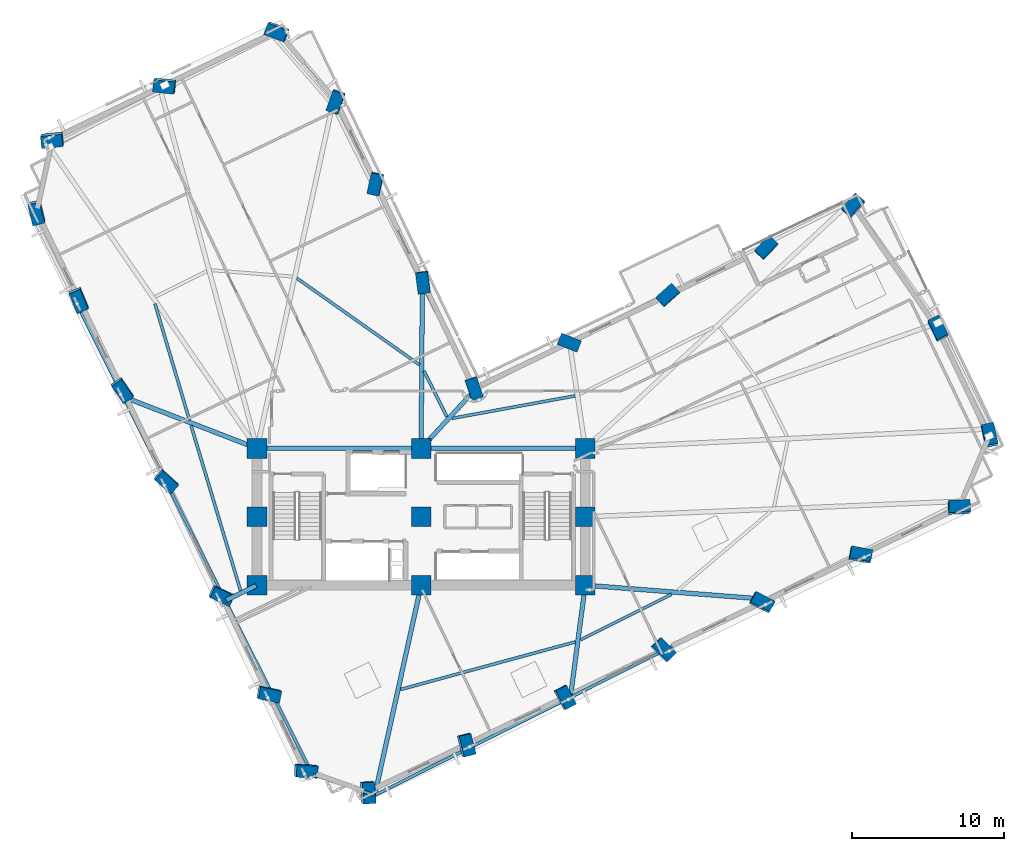
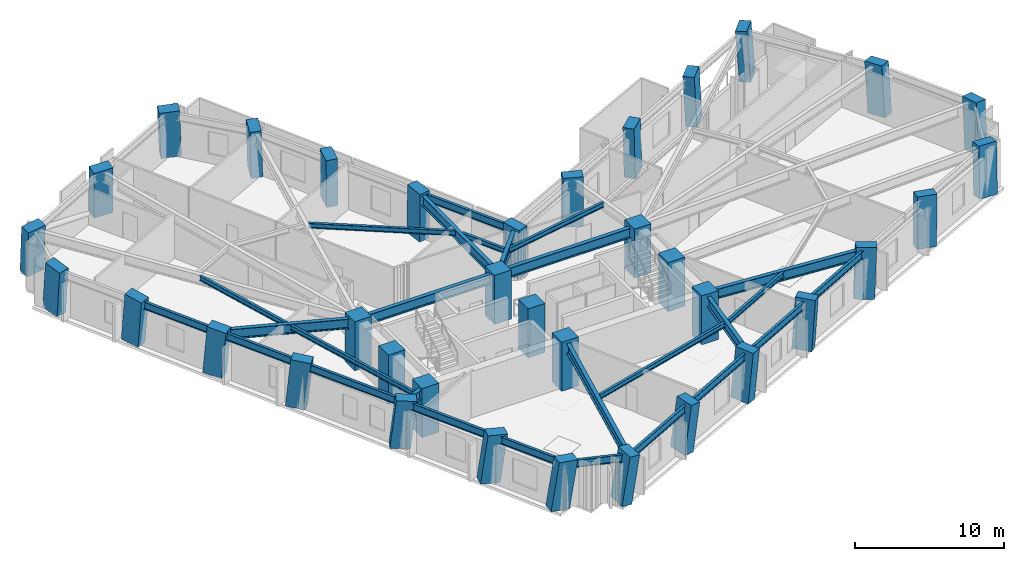
# One storey, part 1 of 16: 36 columns, 27 beams.
"""IFC4 building model written with IfcOpenShell, lengths in metres."""

import ifcopenshell
import ifcopenshell.guid

model = None  # the IFC model being written
_history = None  # IfcOwnerHistory: only IFC2X3 demands one
_inside = {}  # id of a spatial element -> (the spatial element, [elements in it])
_under = {}  # id of a project, library or spatial element -> (it, [spatial elements below it])
_declared = {}  # id of a project -> (the project, [libraries it declares])
_typed = {}  # id of a type object -> (the type object, [elements of that type])
_made_of = {}  # id of a material, layer set ... -> (it, [elements and type objects made of it])


def new_model(schema):
    """Start an empty IFC model of exactly this schema.

    Asked for "IFC4X3", IfcOpenShell would pick the latest addendum, in which some entities
    have other attributes; the version numbers below select the first issue.
    IFC2X3 requires an IfcOwnerHistory on every rooted entity: one is made here for all.
    """
    global model, _history
    if schema == "IFC4X3":
        model = ifcopenshell.file(schema_version=(4, 3, 0, 0))
    else:
        model = ifcopenshell.file(schema=schema)
    _inside.clear()
    _under.clear()
    _declared.clear()
    _typed.clear()
    _made_of.clear()
    _history = None
    if model.schema == "IFC2X3":
        org = make("IfcOrganization", Name="unknown")
        user = make(
            "IfcPersonAndOrganization",
            ThePerson=make("IfcPerson", FamilyName="unknown"),
            TheOrganization=org,
        )
        app = make(
            "IfcApplication",
            ApplicationDeveloper=org,
            Version="unknown",
            ApplicationFullName="unknown",
            ApplicationIdentifier="unknown",
        )
        _history = make(
            "IfcOwnerHistory",
            OwningUser=user,
            OwningApplication=app,
            ChangeAction="ADDED",
            CreationDate=0,
        )
    return model


def make(cls, **values):
    """One entity of the class cls with the attributes given. An attribute that is None is left unset."""
    return model.create_entity(
        cls, **{name: value for name, value in values.items() if value is not None}
    )


def rooted(cls, **values):
    """An entity with a GlobalId (a new one), such as an element, a storey or a relation."""
    return make(cls, GlobalId=ifcopenshell.guid.new(), OwnerHistory=_history, **values)


def si_unit(unit_type, name, prefix=None):
    """IfcSIUnit, for example si_unit("LENGTHUNIT", "METRE", prefix="MILLI")."""
    return make("IfcSIUnit", UnitType=unit_type, Prefix=prefix, Name=name)


def assignment(units):
    """IfcUnitAssignment: the units of a project."""
    return None if units is None else make("IfcUnitAssignment", Units=units)


def point(xyz):
    """IfcCartesianPoint."""
    return None if xyz is None else make("IfcCartesianPoint", Coordinates=xyz)


def direction(xyz):
    """IfcDirection."""
    return None if xyz is None else make("IfcDirection", DirectionRatios=xyz)


def frame(location, z_axis=None, x_axis=None):
    """IfcAxis2Placement3D, a coordinate frame: its origin and axes. An axis left out is left unset."""
    return make(
        "IfcAxis2Placement3D",
        Location=point(location),
        Axis=direction(z_axis),
        RefDirection=direction(x_axis),
    )


def frame_2d(location, x_axis=None):
    """IfcAxis2Placement2D, a coordinate frame in the plane: its origin and x axis."""
    return make(
        "IfcAxis2Placement2D", Location=point(location), RefDirection=direction(x_axis)
    )


def origin():
    """The frame at (0, 0, 0) with its axes left unset."""
    return frame((0.0, 0.0, 0.0))


def origin_2d():
    """The frame at (0, 0) in the plane with its x axis left unset."""
    return frame_2d((0.0, 0.0))


def place(relative_to, where):
    """IfcLocalPlacement: puts the frame where relative to a parent placement (None: the world)."""
    return make(
        "IfcLocalPlacement", PlacementRelTo=relative_to, RelativePlacement=where
    )


def context(
    kind, dimensions, precision=None, world=None, true_north=None, identifier=None
):
    """IfcGeometricRepresentationContext, for example the 3D "Model" context."""
    return make(
        "IfcGeometricRepresentationContext",
        ContextIdentifier=identifier,
        ContextType=kind,
        CoordinateSpaceDimension=dimensions,
        Precision=precision,
        WorldCoordinateSystem=world,
        TrueNorth=true_north,
    )


def subcontext(parent, identifier, kind, view, scale=None):
    """IfcGeometricRepresentationSubContext, for example "Body" below "Model"."""
    return make(
        "IfcGeometricRepresentationSubContext",
        ContextIdentifier=identifier,
        ContextType=kind,
        ParentContext=parent,
        TargetScale=scale,
        TargetView=view,
    )


def project(units=None, contexts=None):
    """IfcProject with its units and contexts."""
    return rooted(
        "IfcProject",
        Name="project",
        RepresentationContexts=contexts,
        UnitsInContext=assignment(units),
    )


def spatial(cls, under=None, at=None, **own):
    """A site, building, storey or space (cls), placed at a placement, below another one or the project."""
    s = rooted(cls, ObjectPlacement=at, **own)
    if under is not None:
        _under.setdefault(under.id(), (under, []))[1].append(s)
    return s


def profile(cls, at=None, kind="AREA", **sizes):
    """A parametric profile (cls). Its sizes go by their IFC names, for example OverallWidth=200.0."""
    return make(cls, ProfileType=kind, Position=at, **sizes)


def rectangle(**sizes):
    """IfcRectangleProfileDef."""
    return profile("IfcRectangleProfileDef", **sizes)


def i_section(**sizes):
    """IfcIShapeProfileDef."""
    return profile("IfcIShapeProfileDef", **sizes)


def extrude(swept, where, along, depth):
    """IfcExtrudedAreaSolid: the profile swept, set in the frame where, extruded along a direction by depth."""
    return make(
        "IfcExtrudedAreaSolid",
        SweptArea=swept,
        Position=where,
        ExtrudedDirection=direction(along),
        Depth=depth,
    )


def shape(context_of_items, identifier, shape_type, items):
    """IfcShapeRepresentation: the items that make up one representation, for example the "Body"."""
    return make(
        "IfcShapeRepresentation",
        ContextOfItems=context_of_items,
        RepresentationIdentifier=identifier,
        RepresentationType=shape_type,
        Items=items,
    )


def material(Name=None, Category=None):
    """IfcMaterial."""
    return make("IfcMaterial", Name=Name, Category=Category)


def material_profile(
    of_material, cross_section, Name=None, Category=None, Priority=None
):
    """IfcMaterialProfile: a cross section and its material."""
    return make(
        "IfcMaterialProfile",
        Name=Name,
        Material=of_material,
        Profile=cross_section,
        Priority=Priority,
        Category=Category,
    )


def profile_set(profiles, Name=None, composite=None):
    """IfcMaterialProfileSet."""
    return make(
        "IfcMaterialProfileSet",
        Name=Name,
        MaterialProfiles=profiles,
        CompositeProfile=composite,
    )


def made_of(thing, what):
    """Note that an element or type object is made of a material, layer set ...; save() writes the relation."""
    if what is not None:
        _made_of.setdefault(what.id(), (what, []))[1].append(thing)
    return thing


def type_object(cls, material=None, **own):
    """A type object (cls), such as IfcWallType, which elements share."""
    return made_of(rooted(cls, **own), material)


def element(
    cls,
    number,
    at=None,
    inside=None,
    cuts=None,
    type_object=None,
    material=None,
    context=None,
    identifier="Body",
    shape_type=None,
    held_by="IfcProductDefinitionShape",
    body=None,
    shapes=None,
    **own,
):
    """One element of the class cls, such as IfcWall. Its Tag is "e" and its number.

    at: its placement. inside: the storey or other place that contains it. cuts: it is an
    opening in that element (IfcRelVoidsElement). A single representation is given by context,
    identifier, shape_type and body (its items); several are given by shapes. held_by: the class
    of the entity that holds the representations. save() writes the other relations.
    """
    e = rooted(cls, Tag="e%d" % number, ObjectPlacement=at, **own)
    if body is not None:
        shapes = [shape(context, identifier, shape_type, body)]
    if shapes is not None:
        e.Representation = make(held_by, Representations=shapes)
    if inside is not None:
        _inside.setdefault(inside.id(), (inside, []))[1].append(e)
    if cuts is not None:
        rooted(
            "IfcRelVoidsElement", RelatingBuildingElement=cuts, RelatedOpeningElement=e
        )
    if type_object is not None:
        _typed.setdefault(type_object.id(), (type_object, []))[1].append(e)
    return made_of(e, material)


def aggregate(whole, parts):
    """IfcRelAggregates: a whole, such as a stair, and the parts it consists of."""
    return rooted("IfcRelAggregates", RelatingObject=whole, RelatedObjects=parts)


def save(model, path):
    """Write the relations noted so far, then the file.

    IfcRelAggregates (storeys below a building ...), IfcRelContainedInSpatialStructure (elements
    in a storey), IfcRelDefinesByType, IfcRelAssociatesMaterial and IfcRelDeclares: one each for
    every whole, place, type object, material and project.
    """
    for whole, parts in _under.values():
        aggregate(whole, parts)
    for where, things in _inside.values():
        rooted(
            "IfcRelContainedInSpatialStructure",
            RelatedElements=things,
            RelatingStructure=where,
        )
    for kind, things in _typed.values():
        rooted("IfcRelDefinesByType", RelatedObjects=things, RelatingType=kind)
    for what, things in _made_of.values():
        rooted("IfcRelAssociatesMaterial", RelatedObjects=things, RelatingMaterial=what)
    for by, libraries in _declared.values():
        rooted("IfcRelDeclares", RelatingContext=by, RelatedDefinitions=libraries)
    model.write(path)


model = new_model("IFC4")

# Units and contexts
model_context = context("Model", 3, precision=1e-05, world=origin(), true_north=direction((0.0, 1.0)))
body_context = subcontext(model_context, "Body", "Model", "MODEL_VIEW")
ifc_project = project(units=[si_unit("LENGTHUNIT", "METRE"), si_unit("AREAUNIT", "SQUARE_METRE"), si_unit("VOLUMEUNIT", "CUBIC_METRE"), si_unit("PLANEANGLEUNIT", "RADIAN"), si_unit("MASSUNIT", "GRAM", prefix="KILO")], contexts=[model_context])

# Site, building, storey
site_placement = place(None, origin())
site = spatial("IfcSite", under=ifc_project, at=site_placement, CompositionType="ELEMENT")
building_placement = place(site_placement, origin())
building = spatial("IfcBuilding", under=site, at=building_placement, Name="Gaonmaruhae Medical Tower", CompositionType="ELEMENT")
storey_placement = place(building_placement, frame((0.0, 0.0, 132.39990234375)))
storey = spatial("IfcBuildingStorey", under=building, at=storey_placement, Name="L31", CompositionType="ELEMENT", Elevation=132.39990234375)

# Columns
ifc_material_1 = material(Name="Concrete C60/75", Category="concrete")
ifc_material_profile_1 = material_profile(ifc_material_1, rectangle(XDim=1.300048828125, YDim=1.300048828125, at=origin_2d()), Name="RC-1300x1300")
ifc_profile_set_1 = profile_set([ifc_material_profile_1], Name="Concrete C60/75")
column_type_1 = type_object("IfcColumnType", Name="CC-03 Zone 2 Core Column (RC-1300x1300)", PredefinedType="COLUMN", material=ifc_profile_set_1)
for number, where, z_axis, x_axis, name in (
    (1, (14.0, 7.800048828125, 0.0), (0.0, 0.0, 1.0), (1.0, 0.0, 0.0), "L31 Plumb Core Column CC11"),
    (2, (14.0, 12.300048828125, 0.0), (0.0, 0.0, 1.0), (1.0, 0.0, 0.0), "L31 Plumb Core Column CC12"),
    (3, (14.0, 16.800048828125, 0.0), (0.0, 0.0, 1.0), (1.0, 0.0, 0.0), "L31 Plumb Core Column CC13"),
    (4, (24.800048828125, 7.800048828125, 0.0), (0.0, 0.0, 1.0), (1.0, 0.0, 0.0), "L31 Plumb Core Column CC21"),
    (5, (24.800048828125, 12.300048828125, 0.0), (0.0, 0.0, 1.0), (1.0, 0.0, 0.0), "L31 Plumb Core Column CC22"),
    (6, (24.800048828125, 16.800048828125, 0.0), (0.0, 0.0, 1.0), (1.0, 0.0, 0.0), "L31 Plumb Core Column CC23"),
    (7, (35.60009765625, 7.800048828125, 0.0), (0.0, 0.0, 1.0), (1.0, 0.0, 0.0), "L31 Plumb Core Column CC31"),
    (8, (35.60009765625, 12.300048828125, 0.0), (0.0, 0.0, 1.0), (1.0, 0.0, 0.0), "L31 Plumb Core Column CC32"),
    (9, (35.60009765625, 16.800048828125, 0.0), (0.0, 0.0, 1.0), (1.0, 0.0, 0.0), "L31 Plumb Core Column CC33"),
):
    element("IfcColumn", number, at=place(storey_placement, frame(where, z_axis=z_axis, x_axis=x_axis)), inside=storey, type_object=column_type_1, Name=name, PredefinedType="COLUMN", context=body_context, shape_type="SweptSolid", body=[
        extrude(rectangle(XDim=1.300048828125, YDim=1.300048828125, at=origin_2d()), origin(), (0.0, 0.0, 1.0), 4.0),
    ])
ifc_material_profile_2 = material_profile(ifc_material_1, rectangle(XDim=1.39990234375, YDim=0.800048828125, at=origin_2d()), Name="RC-1400x800")
ifc_profile_set_2 = profile_set([ifc_material_profile_2], Name="Concrete C60/75")
column_type_2 = type_object("IfcColumnType", Name="TC-02 Mid Raking Tube Pier Column (RC-1400x800)", PredefinedType="COLUMN", material=ifc_profile_set_2)
column_1_placement = place(storey_placement, frame((21.236083984375, -5.819580078125, 0.001953125), z_axis=(0.126197551936, -0.049752703929, 0.990756703907), x_axis=(-0.068357054988, 0.995931387847, 0.058719534514)))
element("IfcColumn", 10, at=column_1_placement, inside=storey, type_object=column_type_2, Name="L31 Perimeter Tube Column S01", PredefinedType="COLUMN", context=body_context, shape_type="SweptSolid", body=[
    extrude(rectangle(XDim=1.39990234375, YDim=0.800048828125, at=origin_2d()), origin(), (0.0, 0.0, 1.0), 4.03369140625),
])
column_2_placement = place(storey_placement, frame((27.7265625, -2.702880859375, 0.001953125), z_axis=(0.113411528151, -0.023240564624, 0.993276246287), x_axis=(-0.240241312271, 0.969418798546, 0.050112921527)))
element("IfcColumn", 11, at=column_2_placement, inside=storey, type_object=column_type_2, Name="L31 Perimeter Tube Column S02", PredefinedType="COLUMN", context=body_context, shape_type="SweptSolid", body=[
    extrude(rectangle(XDim=1.39990234375, YDim=0.800048828125, at=origin_2d()), origin(), (0.0, 0.0, 1.0), 4.0234375),
])
column_3_placement = place(storey_placement, frame((34.217041015625, 0.413818359375, 0.001953125), z_axis=(0.100532157789, 0.003403748994, 0.994927987215), x_axis=(-0.460933784013, 0.886365665565, 0.043542550033)))
element("IfcColumn", 12, at=column_3_placement, inside=storey, type_object=column_type_2, Name="L31 Perimeter Tube Column S03", PredefinedType="COLUMN", context=body_context, shape_type="SweptSolid", body=[
    extrude(rectangle(XDim=1.39990234375, YDim=0.800048828125, at=origin_2d()), origin(), (0.0, 0.0, 1.0), 4.0166015625),
])
column_4_placement = place(storey_placement, frame((40.70751953125, 3.530517578125, 0.001953125), z_axis=(0.087532631007, 0.030110251806, 0.995706488502), x_axis=(-0.700801184298, 0.712230390609, 0.040069574247)))
element("IfcColumn", 13, at=column_4_placement, inside=storey, type_object=column_type_2, Name="L31 Perimeter Tube Column S04", PredefinedType="COLUMN", context=body_context, shape_type="SweptSolid", body=[
    extrude(rectangle(XDim=1.39990234375, YDim=0.800048828125, at=origin_2d()), origin(), (0.0, 0.0, 1.0), 4.013671875),
])
column_5_placement = place(storey_placement, frame((47.197998046875, 6.6474609375, 0.001953125), z_axis=(0.074447409341, 0.056687079662, 0.99561245384), x_axis=(-0.888995895277, 0.456120203654, 0.040505036717)))
element("IfcColumn", 14, at=column_5_placement, inside=storey, type_object=column_type_2, Name="L31 Perimeter Tube Column S05", PredefinedType="COLUMN", context=body_context, shape_type="SweptSolid", body=[
    extrude(rectangle(XDim=1.39990234375, YDim=0.800048828125, at=origin_2d()), origin(), (0.0, 0.0, 1.0), 4.013916015625),
])
column_6_placement = place(storey_placement, frame((53.6884765625, 9.76416015625, 0.001953125), z_axis=(0.06131027357, 0.083306625435, 0.994636142775), x_axis=(-0.981231513844, 0.18756322246, 0.044774477334)))
element("IfcColumn", 15, at=column_6_placement, inside=storey, type_object=column_type_2, Name="L31 Perimeter Tube Column S06", PredefinedType="COLUMN", context=body_context, shape_type="SweptSolid", body=[
    extrude(rectangle(XDim=1.39990234375, YDim=0.800048828125, at=origin_2d()), origin(), (0.0, 0.0, 1.0), 4.017822265625),
])
column_7_placement = place(storey_placement, frame((60.178955078125, 12.880859375, 0.001953125), z_axis=(0.048096029974, 0.109777823773, 0.992791821737), x_axis=(-0.998144320493, -0.03187998618, 0.051880458253)))
element("IfcColumn", 16, at=column_7_placement, inside=storey, type_object=column_type_2, Name="L31 Perimeter Tube Column S07", PredefinedType="COLUMN", context=body_context, shape_type="SweptSolid", body=[
    extrude(rectangle(XDim=1.39990234375, YDim=0.800048828125, at=origin_2d()), origin(), (0.0, 0.0, 1.0), 4.025390625),
])
column_8_placement = place(storey_placement, frame((62.177734375, 17.6123046875, 0.001953125), z_axis=(0.028561654516, 0.117824404935, 0.99262361522), x_axis=(0.209885345046, -0.971598652903, 0.109289521967)))
element("IfcColumn", 17, at=column_8_placement, inside=storey, type_object=column_type_2, Name="L31 Perimeter Tube Column E01", PredefinedType="COLUMN", context=body_context, shape_type="SweptSolid", body=[
    extrude(rectangle(XDim=1.39990234375, YDim=0.800048828125, at=origin_2d()), origin(), (0.0, 0.0, 1.0), 4.026123046875),
])
column_9_placement = place(storey_placement, frame((58.80126953125, 24.6435546875, 0.001953125), z_axis=(-0.00024304177, 0.103900356523, 0.994587681829), x_axis=(0.434968645662, -0.89556113761, 0.093661764304)))
element("IfcColumn", 18, at=column_9_placement, inside=storey, type_object=column_type_2, Name="L31 Perimeter Tube Column E02", PredefinedType="COLUMN", context=body_context, shape_type="SweptSolid", body=[
    extrude(rectangle(XDim=1.39990234375, YDim=0.800048828125, at=origin_2d()), origin(), (0.0, 0.0, 1.0), 4.01806640625),
])
column_10_placement = place(storey_placement, frame((53.25, 32.738525390625, 0.001953125), z_axis=(-0.033410510138, 0.080818137455, 0.996168743974), x_axis=(-0.668331325161, -0.742899857935, 0.037855526533)))
element("IfcColumn", 19, at=column_10_placement, inside=storey, type_object=column_type_2, Name="L31 Perimeter Tube Column E03", PredefinedType="COLUMN", context=body_context, shape_type="SweptSolid", body=[
    extrude(rectangle(XDim=1.39990234375, YDim=0.800048828125, at=origin_2d()), origin(), (0.0, 0.0, 1.0), 4.01171875),
])
column_11_placement = place(storey_placement, frame((47.52587890625, 29.98974609375, 0.001953125), z_axis=(-0.021951173604, 0.057438904263, 0.998107668668), x_axis=(-0.687821910111, -0.725391291577, 0.026617552021)))
element("IfcColumn", 20, at=column_11_placement, inside=storey, type_object=column_type_2, Name="L31 Perimeter Tube Column EN01", PredefinedType="COLUMN", context=body_context, shape_type="SweptSolid", body=[
    extrude(rectangle(XDim=1.39990234375, YDim=0.800048828125, at=origin_2d()), origin(), (0.0, 0.0, 1.0), 4.00390625),
])
column_12_placement = place(storey_placement, frame((41.035400390625, 26.872802734375, 0.001953125), z_axis=(-0.00885366467, 0.030774117199, 0.99948715166), x_axis=(-0.746694417062, -0.665022783918, 0.013861616019)))
element("IfcColumn", 21, at=column_12_placement, inside=storey, type_object=column_type_2, Name="L31 Perimeter Tube Column EN02", PredefinedType="COLUMN", context=body_context, shape_type="SweptSolid", body=[
    extrude(rectangle(XDim=1.39990234375, YDim=0.800048828125, at=origin_2d()), origin(), (0.0, 0.0, 1.0), 3.998291015625),
])
column_13_placement = place(storey_placement, frame((34.544921875, 23.756103515625, 0.001953125), z_axis=(0.004276303261, 0.003970853028, 0.999982972633), x_axis=(-0.930596934724, 0.366036834219, 0.002526079248)))
element("IfcColumn", 22, at=column_13_placement, inside=storey, type_object=column_type_2, Name="L31 Perimeter Tube Column EN03", PredefinedType="COLUMN", context=body_context, shape_type="SweptSolid", body=[
    extrude(rectangle(XDim=1.39990234375, YDim=0.800048828125, at=origin_2d()), origin(), (0.0, 0.0, 1.0), 3.996337890625),
])
column_14_placement = place(storey_placement, frame((28.27978515625, 20.747802734375, 0.001953125), z_axis=(0.01697679214, -0.021923267547, 0.999615505516), x_axis=(-0.315480626225, 0.948571315407, 0.026161690777)))
element("IfcColumn", 23, at=column_14_placement, inside=storey, type_object=column_type_2, Name="L31 Perimeter Tube Column KN01", PredefinedType="COLUMN", context=body_context, shape_type="SweptSolid", body=[
    extrude(rectangle(XDim=1.39990234375, YDim=0.800048828125, at=origin_2d()), origin(), (0.0, 0.0, 1.0), 3.997802734375),
])
column_15_placement = place(storey_placement, frame((24.925048828125, 27.73388671875, 0.001953125), z_axis=(-0.011843149129, -0.036017824671, 0.99928096956), x_axis=(-0.129836305253, 0.990946191791, 0.034178630945)))
element("IfcColumn", 24, at=column_15_placement, inside=storey, type_object=column_type_2, Name="L31 Perimeter Tube Column NE01", PredefinedType="COLUMN", context=body_context, shape_type="SweptSolid", body=[
    extrude(rectangle(XDim=1.39990234375, YDim=0.800048828125, at=origin_2d()), origin(), (0.0, 0.0, 1.0), 3.999267578125),
])
column_16_placement = place(storey_placement, frame((21.808349609375, 34.224365234375, 0.001953125), z_axis=(-0.038595202301, -0.049082366275, 0.998048762176), x_axis=(0.215850292416, 0.974802805821, 0.056286241908)))
element("IfcColumn", 25, at=column_16_placement, inside=storey, type_object=column_type_2, Name="L31 Perimeter Tube Column NE02", PredefinedType="COLUMN", context=body_context, shape_type="SweptSolid", body=[
    extrude(rectangle(XDim=1.39990234375, YDim=0.800048828125, at=origin_2d()), origin(), (0.0, 0.0, 1.0), 4.004150390625),
])
column_17_placement = place(storey_placement, frame((19.2109375, 39.633056640625, 0.001953125), z_axis=(-0.060746648764, -0.059894491367, 0.996354602824), x_axis=(0.335654000459, 0.938841059949, 0.076901600308)))
element("IfcColumn", 26, at=column_17_placement, inside=storey, type_object=column_type_2, Name="L31 Perimeter Tube Column NE03", PredefinedType="COLUMN", context=body_context, shape_type="SweptSolid", body=[
    extrude(rectangle(XDim=1.39990234375, YDim=0.800048828125, at=origin_2d()), origin(), (0.0, 0.0, 1.0), 4.010986328125),
])
column_18_placement = place(storey_placement, frame((15.326416015625, 44.25732421875, 0.001953125), z_axis=(-0.079483443624, -0.075961640928, 0.99393773009), x_axis=(0.933868017477, -0.354436922656, 0.047591950922)))
element("IfcColumn", 27, at=column_18_placement, inside=storey, type_object=column_type_2, Name="L31 Perimeter Tube Column N01", PredefinedType="COLUMN", context=body_context, shape_type="SweptSolid", body=[
    extrude(rectangle(XDim=1.39990234375, YDim=0.800048828125, at=origin_2d()), origin(), (0.0, 0.0, 1.0), 4.020751953125),
])
column_19_placement = place(storey_placement, frame((7.9345703125, 40.707763671875, 0.001953125), z_axis=(-0.064557977636, -0.106141801729, 0.992253085382), x_axis=(0.993383828706, -0.101472169552, 0.053777018064)))
element("IfcColumn", 28, at=column_19_placement, inside=storey, type_object=column_type_2, Name="L31 Perimeter Tube Column N02", PredefinedType="COLUMN", context=body_context, shape_type="SweptSolid", body=[
    extrude(rectangle(XDim=1.39990234375, YDim=0.800048828125, at=origin_2d()), origin(), (0.0, 0.0, 1.0), 4.027587890625),
])
column_20_placement = place(storey_placement, frame((0.542724609375, 37.157958984375, 0.001953125), z_axis=(-0.049567049354, -0.136007147619, 0.98946711083), x_axis=(0.993621795809, 0.093750933041, 0.06266170639)))
element("IfcColumn", 29, at=column_20_placement, inside=storey, type_object=column_type_2, Name="L31 Perimeter Tube Column N03", PredefinedType="COLUMN", context=body_context, shape_type="SweptSolid", body=[
    extrude(rectangle(XDim=1.39990234375, YDim=0.800048828125, at=origin_2d()), origin(), (0.0, 0.0, 1.0), 4.038818359375),
])
column_21_placement = place(storey_placement, frame((-0.4951171875, 32.388916015625, 0.001953125), z_axis=(-0.029927956764, -0.14014748238, 0.989678230834), x_axis=(-0.237013372869, 0.962878942205, 0.129185152939)))
element("IfcColumn", 30, at=column_21_placement, inside=storey, type_object=column_type_2, Name="L31 Perimeter Tube Column W01", PredefinedType="COLUMN", context=body_context, shape_type="SweptSolid", body=[
    extrude(rectangle(XDim=1.39990234375, YDim=0.800048828125, at=origin_2d()), origin(), (0.0, 0.0, 1.0), 4.0380859375),
])
column_22_placement = place(storey_placement, frame((2.275390625, 26.61962890625, 0.001953125), z_axis=(-0.00642153609, -0.128854785505, 0.991642681679), x_axis=(-0.387842290238, 0.914359035075, 0.116300958204)))
element("IfcColumn", 31, at=column_22_placement, inside=storey, type_object=column_type_2, Name="L31 Perimeter Tube Column W02", PredefinedType="COLUMN", context=body_context, shape_type="SweptSolid", body=[
    extrude(rectangle(XDim=1.39990234375, YDim=0.800048828125, at=origin_2d()), origin(), (0.0, 0.0, 1.0), 4.030029296875),
])
column_23_placement = place(storey_placement, frame((5.13232421875, 20.669921875, 0.001953125), z_axis=(0.017955796838, -0.117015986828, 0.992967697454), x_axis=(-0.563628738053, 0.819105386602, 0.106719310723)))
element("IfcColumn", 32, at=column_23_placement, inside=storey, type_object=column_type_2, Name="L31 Perimeter Tube Column W03", PredefinedType="COLUMN", context=body_context, shape_type="SweptSolid", body=[
    extrude(rectangle(XDim=1.39990234375, YDim=0.800048828125, at=origin_2d()), origin(), (0.0, 0.0, 1.0), 4.024658203125),
])
column_24_placement = place(storey_placement, frame((8.010986328125, 14.67529296875, 0.001953125), z_axis=(0.042609410713, -0.105066794792, 0.993551914472), x_axis=(-0.737738002522, 0.667305569433, 0.102205267179)))
element("IfcColumn", 33, at=column_24_placement, inside=storey, type_object=column_type_2, Name="L31 Perimeter Tube Column W04", PredefinedType="COLUMN", context=body_context, shape_type="SweptSolid", body=[
    extrude(rectangle(XDim=1.39990234375, YDim=0.800048828125, at=origin_2d()), origin(), (0.0, 0.0, 1.0), 4.022216796875),
])
column_25_placement = place(storey_placement, frame((11.62548828125, 7.148193359375, 0.001953125), z_axis=(0.073420813254, -0.089864648289, 0.993244043108), x_axis=(-0.901710787892, 0.419493356456, 0.104608694133)))
element("IfcColumn", 34, at=column_25_placement, inside=storey, type_object=column_type_2, Name="L31 Perimeter Tube Column W05", PredefinedType="COLUMN", context=body_context, shape_type="SweptSolid", body=[
    extrude(rectangle(XDim=1.39990234375, YDim=0.800048828125, at=origin_2d()), origin(), (0.0, 0.0, 1.0), 4.0234375),
])
column_26_placement = place(storey_placement, frame((14.7421875, 0.65771484375, 0.001953125), z_axis=(0.099936435718, -0.076725001588, 0.992031240913), x_axis=(-0.972937505895, 0.201228836907, 0.11357625113)))
element("IfcColumn", 35, at=column_26_placement, inside=storey, type_object=column_type_2, Name="L31 Perimeter Tube Column W06", PredefinedType="COLUMN", context=body_context, shape_type="SweptSolid", body=[
    extrude(rectangle(XDim=1.39990234375, YDim=0.800048828125, at=origin_2d()), origin(), (0.0, 0.0, 1.0), 4.0283203125),
])
column_27_placement = place(storey_placement, frame((17.16650390625, -4.390380859375, 0.001953125), z_axis=(0.120415567234, -0.066500858488, 0.990493678419), x_axis=(-0.99088001294, 0.052727197243, 0.12400259121)))
element("IfcColumn", 36, at=column_27_placement, inside=storey, type_object=column_type_2, Name="L31 Perimeter Tube Column W07", PredefinedType="COLUMN", context=body_context, shape_type="SweptSolid", body=[
    extrude(rectangle(XDim=1.39990234375, YDim=0.800048828125, at=origin_2d()), origin(), (0.0, 0.0, 1.0), 4.03466796875),
])

# Beams
ifc_material_2 = material(Name="Steel SM355", Category="steel")
ifc_material_profile_3 = material_profile(ifc_material_2, i_section(OverallWidth=0.199951171875, OverallDepth=0.39990234375, WebThickness=0.008056640625, FlangeThickness=0.012939453125, FilletRadius=0.012939453125, at=origin_2d()), Name="H-400x200x8x13")
ifc_profile_set_3 = profile_set([ifc_material_profile_3], Name="Steel SM355")
beam_type_1 = type_object("IfcBeamType", Name="FJ-01 Lower Zone Ward Floor Joist (H-400x200x8x13)", PredefinedType="JOIST", material=ifc_profile_set_3)
beam_1_placement = place(storey_placement, frame((23.44189453125, 0.93603515625, 3.580078125), z_axis=(0.96486296913, 0.262753593317, 0.0), x_axis=(-0.262753593317, 0.96486296913, 0.0)))
element("IfcBeam", 37, at=beam_1_placement, inside=storey, type_object=beam_type_1, Name="L31 Secondary Floor Joist FJ01", PredefinedType="JOIST", context=body_context, shape_type="SweptSolid", body=[
    extrude(i_section(OverallWidth=0.199951171875, OverallDepth=0.39990234375, WebThickness=0.008056640625, FlangeThickness=0.012939453125, FilletRadius=0.012939453125, at=origin_2d()), origin(), (0.0, 0.0, 1.0), 11.9248046875),
])
beam_2_placement = place(storey_placement, frame((35.278076171875, 4.197509765625, 3.580078125), z_axis=(0.894150733696, 0.447766083385, 0.0), x_axis=(-0.447766083385, 0.894150733696, 0.0)))
element("IfcBeam", 38, at=beam_2_placement, inside=storey, type_object=beam_type_1, Name="L31 Secondary Floor Joist FJ02", PredefinedType="JOIST", context=body_context, shape_type="SweptSolid", body=[
    extrude(i_section(OverallWidth=0.199951171875, OverallDepth=0.39990234375, WebThickness=0.008056640625, FlangeThickness=0.012939453125, FilletRadius=0.012939453125, at=origin_2d()), origin(), (0.0, 0.0, 1.0), 6.7158203125),
])
beam_3_placement = place(storey_placement, frame((34.927490234375, 20.2578125, 3.580078125), z_axis=(-0.983683484049, -0.179907763059, 0.0), x_axis=(0.179907763059, -0.983683484049, 0.0)))
element("IfcBeam", 39, at=beam_3_placement, inside=storey, type_object=beam_type_1, Name="L31 Secondary Floor Joist FJ08", PredefinedType="JOIST", context=body_context, shape_type="SweptSolid", body=[
    extrude(i_section(OverallWidth=0.199951171875, OverallDepth=0.39990234375, WebThickness=0.008056640625, FlangeThickness=0.012939453125, FilletRadius=0.012939453125, at=origin_2d()), origin(), (0.0, 0.0, 1.0), 8.2373046875),
])
beam_4_placement = place(storey_placement, frame((26.499267578125, 18.87890625, 3.580078125), z_axis=(-0.447705830417, 0.894180904186, 0.0), x_axis=(-0.894180904186, -0.447705830417, 0.0)))
element("IfcBeam", 40, at=beam_4_placement, inside=storey, type_object=beam_type_1, Name="L31 Secondary Floor Joist FJ09", PredefinedType="JOIST", context=body_context, shape_type="SweptSolid", body=[
    extrude(i_section(OverallWidth=0.199951171875, OverallDepth=0.39990234375, WebThickness=0.008056640625, FlangeThickness=0.012939453125, FilletRadius=0.012939453125, at=origin_2d()), origin(), (0.0, 0.0, 1.0), 3.372314453125),
])
beam_5_placement = place(storey_placement, frame((24.6845703125, 22.3037109375, 3.580078125), z_axis=(-0.816786876605, 0.576939510006, 0.0), x_axis=(-0.576939510006, -0.816786876605, 0.0)))
element("IfcBeam", 41, at=beam_5_placement, inside=storey, type_object=beam_type_1, Name="L31 Secondary Floor Joist FJ10", PredefinedType="JOIST", context=body_context, shape_type="SweptSolid", body=[
    extrude(i_section(OverallWidth=0.199951171875, OverallDepth=0.39990234375, WebThickness=0.008056640625, FlangeThickness=0.012939453125, FilletRadius=0.012939453125, at=origin_2d()), origin(), (0.0, 0.0, 1.0), 9.87158203125),
])
beam_6_placement = place(storey_placement, frame((7.28515625, 26.320068359375, 3.580078125), z_axis=(0.284088329691, -0.958798112708, 0.0), x_axis=(0.958798112708, 0.284088329691, 0.0)))
element("IfcBeam", 42, at=beam_6_placement, inside=storey, type_object=beam_type_1, Name="L31 Secondary Floor Joist FJ13", PredefinedType="JOIST", context=body_context, shape_type="SweptSolid", body=[
    extrude(i_section(OverallWidth=0.199951171875, OverallDepth=0.39990234375, WebThickness=0.008056640625, FlangeThickness=0.012939453125, FilletRadius=0.012939453125, at=origin_2d()), origin(), (0.0, 0.0, 1.0), 7.96142578125),
])
beam_7_placement = place(storey_placement, frame((9.65869140625, 18.311767578125, 3.580078125), z_axis=(0.287059618656, -0.957912718016, 0.0), x_axis=(0.957912718016, 0.287059618656, 0.0)))
element("IfcBeam", 43, at=beam_7_placement, inside=storey, type_object=beam_type_1, Name="L31 Secondary Floor Joist FJ14", PredefinedType="JOIST", context=body_context, shape_type="SweptSolid", body=[
    extrude(i_section(OverallWidth=0.199951171875, OverallDepth=0.39990234375, WebThickness=0.008056640625, FlangeThickness=0.012939453125, FilletRadius=0.012939453125, at=origin_2d()), origin(), (0.0, 0.0, 1.0), 11.3447265625),
])
ifc_material_3 = material(Name="Steel SM420", Category="steel")
ifc_material_profile_4 = material_profile(ifc_material_3, i_section(OverallWidth=0.300048828125, OverallDepth=0.800048828125, WebThickness=0.013916015625, FlangeThickness=0.02587890625, FilletRadius=0.01806640625, at=origin_2d()), Name="H-800x300x14x26")
ifc_profile_set_4 = profile_set([ifc_material_profile_4], Name="Steel SM420")
beam_type_2 = type_object("IfcBeamType", Name="PG-02 Zone 2 Radial Floor Girder (H-800x300x14x26)", PredefinedType="BEAM", material=ifc_profile_set_4)
for number, where, z_axis, x_axis, name in (
    (44, (14.050048828125, 16.800048828125, 3.380126953125), (1.0, 0.0, 0.0), (0.0, 1.0, 0.0), "L31 Beam BM-L31-CG-N1"),
    (45, (24.85009765625, 16.800048828125, 3.380126953125), (1.0, 0.0, 0.0), (0.0, 1.0, 0.0), "L31 Beam BM-L31-CG-N2"),
):
    element("IfcBeam", number, at=place(storey_placement, frame(where, z_axis=z_axis, x_axis=x_axis)), inside=storey, type_object=beam_type_2, Name=name, PredefinedType="BEAM", context=body_context, shape_type="SweptSolid", body=[
        extrude(i_section(OverallWidth=0.300048828125, OverallDepth=0.800048828125, WebThickness=0.013916015625, FlangeThickness=0.02587890625, FilletRadius=0.01806640625, at=origin_2d()), origin(), (0.0, 0.0, 1.0), 10.699951171875),
    ])
beam_8_placement = place(storey_placement, frame((24.789306640625, 7.751220703125, 3.380126953125), z_axis=(-0.215826701721, -0.976431684668, 0.0), x_axis=(0.976431684668, -0.215826701721, 0.0)))
element("IfcBeam", 46, at=beam_8_placement, inside=storey, type_object=beam_type_2, Name="L31 Radial Primary Girder S01", PredefinedType="BEAM", context=body_context, shape_type="SweptSolid", body=[
    extrude(i_section(OverallWidth=0.300048828125, OverallDepth=0.800048828125, WebThickness=0.013916015625, FlangeThickness=0.02587890625, FilletRadius=0.01806640625, at=origin_2d()), origin(), (0.0, 0.0, 1.0), 14.053955078125),
])
beam_9_placement = place(storey_placement, frame((35.593505859375, 7.75048828125, 3.380126953125), z_axis=(-0.131631898459, -0.991298665039, 0.0), x_axis=(0.991298665039, -0.131631898459, 0.0)))
element("IfcBeam", 47, at=beam_9_placement, inside=storey, type_object=beam_type_2, Name="L31 Radial Primary Girder S03", PredefinedType="BEAM", context=body_context, shape_type="SweptSolid", body=[
    extrude(i_section(OverallWidth=0.300048828125, OverallDepth=0.800048828125, WebThickness=0.013916015625, FlangeThickness=0.02587890625, FilletRadius=0.01806640625, at=origin_2d()), origin(), (0.0, 0.0, 1.0), 7.33740234375),
])
beam_10_placement = place(storey_placement, frame((35.64990234375, 7.796142578125, 3.380126953125), z_axis=(0.996992630613, -0.077496416063, 0.0), x_axis=(0.077496416063, 0.996992630613, 0.0)))
element("IfcBeam", 48, at=beam_10_placement, inside=storey, type_object=beam_type_2, Name="L31 Radial Primary Girder S05", PredefinedType="BEAM", context=body_context, shape_type="SweptSolid", body=[
    extrude(i_section(OverallWidth=0.300048828125, OverallDepth=0.800048828125, WebThickness=0.013916015625, FlangeThickness=0.02587890625, FilletRadius=0.01806640625, at=origin_2d()), origin(), (0.0, 0.0, 1.0), 11.832763671875),
])
beam_11_placement = place(storey_placement, frame((24.833740234375, 16.8369140625, 3.380126953125), z_axis=(0.676715020719, 0.736245054811, 0.0), x_axis=(-0.736245054811, 0.676715020719, 0.0)))
element("IfcBeam", 49, at=beam_11_placement, inside=storey, type_object=beam_type_2, Name="L31 Radial Primary Girder KN01", PredefinedType="BEAM", context=body_context, shape_type="SweptSolid", body=[
    extrude(i_section(OverallWidth=0.300048828125, OverallDepth=0.800048828125, WebThickness=0.013916015625, FlangeThickness=0.02587890625, FilletRadius=0.01806640625, at=origin_2d()), origin(), (0.0, 0.0, 1.0), 5.142822265625),
])
beam_12_placement = place(storey_placement, frame((24.80029296875, 16.85009765625, 3.380126953125), z_axis=(0.007194058435, 0.999974122427, 0.0), x_axis=(-0.999974122427, 0.007194058435, 0.0)))
element("IfcBeam", 50, at=beam_12_placement, inside=storey, type_object=beam_type_2, Name="L31 Radial Primary Girder NE01", PredefinedType="BEAM", context=body_context, shape_type="SweptSolid", body=[
    extrude(i_section(OverallWidth=0.300048828125, OverallDepth=0.800048828125, WebThickness=0.013916015625, FlangeThickness=0.02587890625, FilletRadius=0.01806640625, at=origin_2d()), origin(), (0.0, 0.0, 1.0), 10.68994140625),
])
beam_13_placement = place(storey_placement, frame((13.953369140625, 16.818115234375, 3.380126953125), z_axis=(-0.932781937388, 0.360441198093, 0.0), x_axis=(-0.360441198093, -0.932781937388, 0.0)))
element("IfcBeam", 51, at=beam_13_placement, inside=storey, type_object=beam_type_2, Name="L31 Radial Primary Girder W03", PredefinedType="BEAM", context=body_context, shape_type="SweptSolid", body=[
    extrude(i_section(OverallWidth=0.300048828125, OverallDepth=0.800048828125, WebThickness=0.013916015625, FlangeThickness=0.02587890625, FilletRadius=0.01806640625, at=origin_2d()), origin(), (0.0, 0.0, 1.0), 9.3291015625),
])
beam_14_placement = place(storey_placement, frame((13.955078125, 7.778076171875, 3.380126953125), z_axis=(-0.898861736915, -0.438232333255, 0.0), x_axis=(0.438232333255, -0.898861736915, 0.0)))
element("IfcBeam", 52, at=beam_14_placement, inside=storey, type_object=beam_type_2, Name="L31 Radial Primary Girder W05", PredefinedType="BEAM", context=body_context, shape_type="SweptSolid", body=[
    extrude(i_section(OverallWidth=0.300048828125, OverallDepth=0.800048828125, WebThickness=0.013916015625, FlangeThickness=0.02587890625, FilletRadius=0.01806640625, at=origin_2d()), origin(), (0.0, 0.0, 1.0), 2.212890625),
])
ifc_material_profile_5 = material_profile(ifc_material_2, i_section(OverallWidth=0.199951171875, OverallDepth=0.60009765625, WebThickness=0.010986328125, FlangeThickness=0.01708984375, FilletRadius=0.012939453125, at=origin_2d()), Name="H-600x200x11x17")
ifc_profile_set_5 = profile_set([ifc_material_profile_5], Name="Steel SM355")
beam_type_3 = type_object("IfcBeamType", Name="SP-01 Lower Perimeter Spandrel Beam (H-600x200x11x17)", PredefinedType="SPANDREL", material=ifc_profile_set_5)
for number, where, z_axis, x_axis, name in (
    (53, (21.781005859375, -6.00244140625, 3.47998046875), (0.894145847071, 0.447775841427, 0.0), (-0.447775841427, 0.894145847071, 0.0), "L31 Perimeter Spandrel Beam S01-S02"),
    (54, (28.218994140625, -2.778564453125, 3.47998046875), (0.894145847071, 0.447775841427, 0.0), (-0.447775841427, 0.894145847071, 0.0), "L31 Perimeter Spandrel Beam S02-S03"),
):
    element("IfcBeam", number, at=place(storey_placement, frame(where, z_axis=z_axis, x_axis=x_axis)), inside=storey, type_object=beam_type_3, Name=name, PredefinedType="SPANDREL", context=body_context, shape_type="SweptSolid", body=[
        extrude(i_section(OverallWidth=0.199951171875, OverallDepth=0.60009765625, WebThickness=0.010986328125, FlangeThickness=0.01708984375, FilletRadius=0.012939453125, at=origin_2d()), origin(), (0.0, 0.0, 1.0), 7.1201171875),
    ])
beam_15_placement = place(storey_placement, frame((34.656982421875, 0.4453125, 3.47998046875), z_axis=(0.894138971765, 0.44778957019, 0.0), x_axis=(-0.44778957019, 0.894138971765, 0.0)))
element("IfcBeam", 55, at=beam_15_placement, inside=storey, type_object=beam_type_3, Name="L31 Perimeter Spandrel Beam S03-S04", PredefinedType="SPANDREL", context=body_context, shape_type="SweptSolid", body=[
    extrude(i_section(OverallWidth=0.199951171875, OverallDepth=0.60009765625, WebThickness=0.010986328125, FlangeThickness=0.01708984375, FilletRadius=0.012939453125, at=origin_2d()), origin(), (0.0, 0.0, 1.0), 7.119873046875),
])
beam_16_placement = place(storey_placement, frame((41.0947265625, 3.669189453125, 3.47998046875), z_axis=(0.894159575256, 0.447748427108, 0.0), x_axis=(-0.447748427108, 0.894159575256, 0.0)))
element("IfcBeam", 56, at=beam_16_placement, inside=storey, type_object=beam_type_3, Name="L31 Perimeter Spandrel Beam S04-S05", PredefinedType="SPANDREL", context=body_context, shape_type="SweptSolid", body=[
    extrude(i_section(OverallWidth=0.199951171875, OverallDepth=0.60009765625, WebThickness=0.010986328125, FlangeThickness=0.01708984375, FilletRadius=0.012939453125, at=origin_2d()), origin(), (0.0, 0.0, 1.0), 7.1201171875),
])
beam_17_placement = place(storey_placement, frame((28.329833984375, 20.69580078125, 3.47998046875), z_axis=(-0.447760997976, 0.894153280311, 0.0), x_axis=(-0.894153280311, -0.447760997976, 0.0)))
element("IfcBeam", 57, at=beam_17_placement, inside=storey, type_object=beam_type_3, Name="L31 Perimeter Spandrel Beam KN01-NE01", PredefinedType="SPANDREL", context=body_context, shape_type="SweptSolid", body=[
    extrude(i_section(OverallWidth=0.199951171875, OverallDepth=0.60009765625, WebThickness=0.010986328125, FlangeThickness=0.01708984375, FilletRadius=0.012939453125, at=origin_2d()), origin(), (0.0, 0.0, 1.0), 7.669921875),
])
beam_18_placement = place(storey_placement, frame((2.267333984375, 26.064453125, 3.47998046875), z_axis=(0.447767696134, -0.894149926074, 0.0), x_axis=(0.894149926074, 0.447767696134, 0.0)))
element("IfcBeam", 58, at=beam_18_placement, inside=storey, type_object=beam_type_3, Name="L31 Perimeter Spandrel Beam W02-W03", PredefinedType="SPANDREL", context=body_context, shape_type="SweptSolid", body=[
    extrude(i_section(OverallWidth=0.199951171875, OverallDepth=0.60009765625, WebThickness=0.010986328125, FlangeThickness=0.01708984375, FilletRadius=0.012939453125, at=origin_2d()), origin(), (0.0, 0.0, 1.0), 6.52001953125),
])
beam_19_placement = place(storey_placement, frame((5.22265625, 20.1630859375, 3.47998046875), z_axis=(0.447733751617, -0.894166923825, 0.0), x_axis=(0.894166923825, 0.447733751617, 0.0)))
element("IfcBeam", 59, at=beam_19_placement, inside=storey, type_object=beam_type_3, Name="L31 Perimeter Spandrel Beam W03-W04", PredefinedType="SPANDREL", context=body_context, shape_type="SweptSolid", body=[
    extrude(i_section(OverallWidth=0.199951171875, OverallDepth=0.60009765625, WebThickness=0.010986328125, FlangeThickness=0.01708984375, FilletRadius=0.012939453125, at=origin_2d()), origin(), (0.0, 0.0, 1.0), 6.570068359375),
])
beam_20_placement = place(storey_placement, frame((8.2001953125, 14.216796875, 3.47998046875), z_axis=(0.447780316228, -0.894143606139, 0.0), x_axis=(0.894143606139, 0.447780316228, 0.0)))
element("IfcBeam", 60, at=beam_20_placement, inside=storey, type_object=beam_type_3, Name="L31 Perimeter Spandrel Beam W04-W05", PredefinedType="SPANDREL", context=body_context, shape_type="SweptSolid", body=[
    extrude(i_section(OverallWidth=0.199951171875, OverallDepth=0.60009765625, WebThickness=0.010986328125, FlangeThickness=0.01708984375, FilletRadius=0.012939453125, at=origin_2d()), origin(), (0.0, 0.0, 1.0), 8.27001953125),
])
beam_21_placement = place(storey_placement, frame((11.93896484375, 6.750732421875, 3.47998046875), z_axis=(0.447775841427, -0.894145847071, 0.0), x_axis=(0.894145847071, 0.447775841427, 0.0)))
element("IfcBeam", 61, at=beam_21_placement, inside=storey, type_object=beam_type_3, Name="L31 Perimeter Spandrel Beam W05-W06", PredefinedType="SPANDREL", context=body_context, shape_type="SweptSolid", body=[
    extrude(i_section(OverallWidth=0.199951171875, OverallDepth=0.60009765625, WebThickness=0.010986328125, FlangeThickness=0.01708984375, FilletRadius=0.012939453125, at=origin_2d()), origin(), (0.0, 0.0, 1.0), 7.1201171875),
])
beam_22_placement = place(storey_placement, frame((15.162841796875, 0.312744140625, 3.47998046875), z_axis=(0.447761935771, -0.894152810695, 0.0), x_axis=(0.894152810695, 0.447761935771, 0.0)))
element("IfcBeam", 62, at=beam_22_placement, inside=storey, type_object=beam_type_3, Name="L31 Perimeter Spandrel Beam W06-W07", PredefinedType="SPANDREL", context=body_context, shape_type="SweptSolid", body=[
    extrude(i_section(OverallWidth=0.199951171875, OverallDepth=0.60009765625, WebThickness=0.010986328125, FlangeThickness=0.01708984375, FilletRadius=0.012939453125, at=origin_2d()), origin(), (0.0, 0.0, 1.0), 5.52001953125),
])
beam_23_placement = place(storey_placement, frame((17.6904296875, -4.67138671875, 3.47998046875), z_axis=(0.948879200838, -0.315639449716, 0.0), x_axis=(0.315639449716, 0.948879200838, 0.0)))
element("IfcBeam", 63, at=beam_23_placement, inside=storey, type_object=beam_type_3, Name="L31 Perimeter Spandrel Beam W07-S01", PredefinedType="SPANDREL", context=body_context, shape_type="SweptSolid", body=[
    extrude(i_section(OverallWidth=0.199951171875, OverallDepth=0.60009765625, WebThickness=0.010986328125, FlangeThickness=0.01708984375, FilletRadius=0.012939453125, at=origin_2d()), origin(), (0.0, 0.0, 1.0), 4.233154296875),
])

save(model, "model.ifc")
